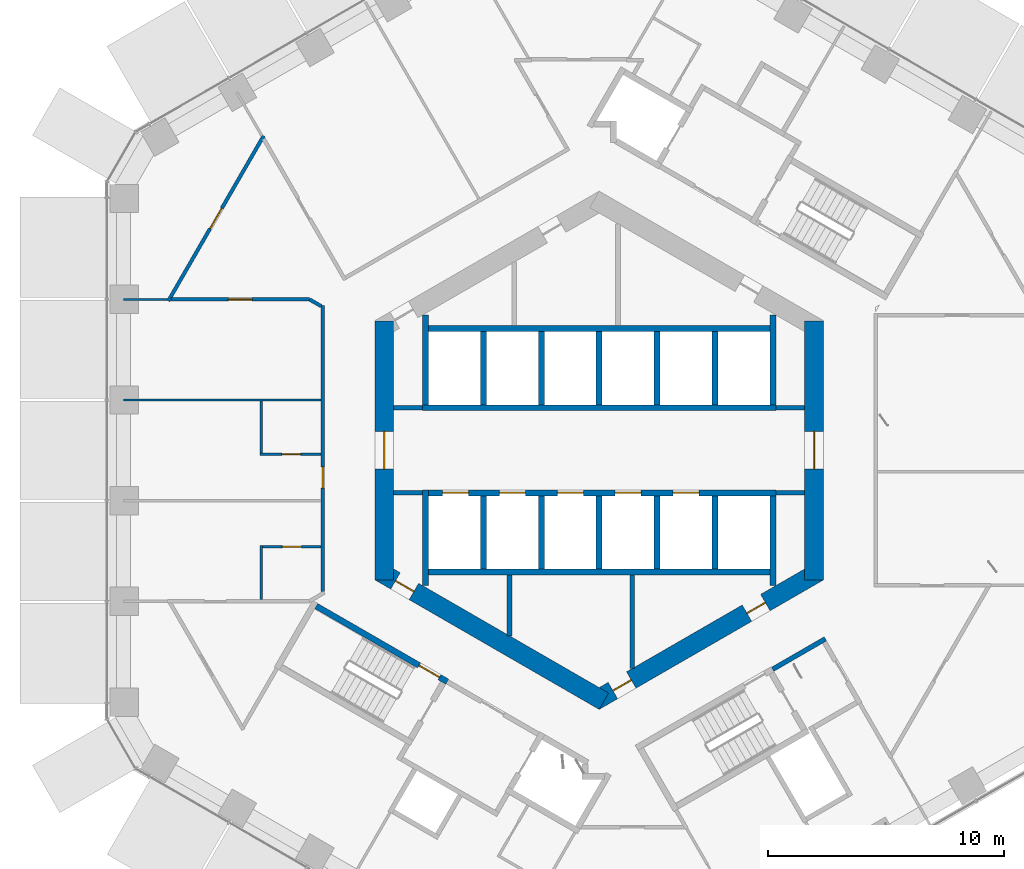
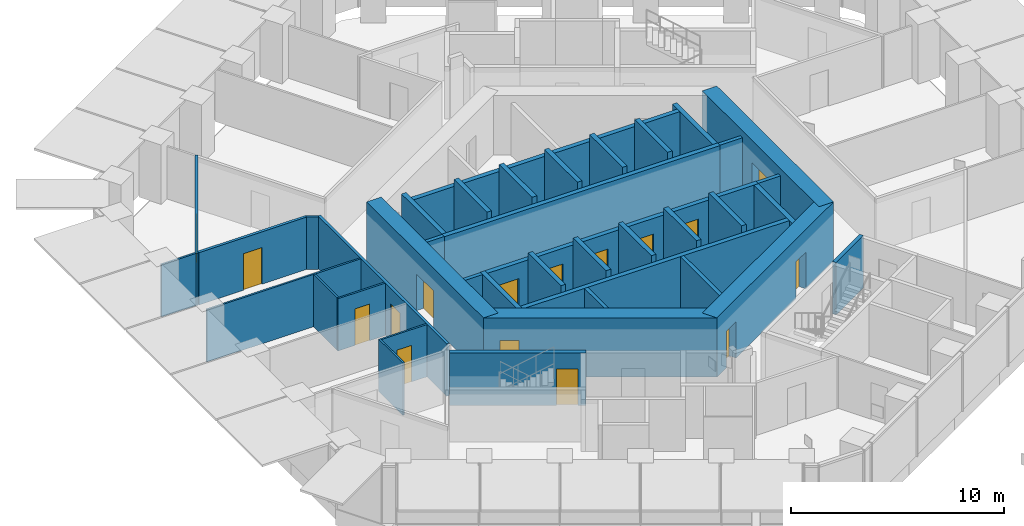
# One storey, part 13 of 22: 40 walls, 16 doors, 16 openings.
"""IFC4 building model written with IfcOpenShell, lengths in metres."""

from ifc_helpers import new_model, si_unit, direction, frame, frame_2d, origin, place, context, subcontext, project, spatial, rectangle, extrude, material, layer, layer_set, type_object, element, fill, save


model = new_model("IFC4")

# Units and contexts
model_context = context("Model", 3, precision=1e-05, world=origin(), true_north=direction((0.0, 1.0)))
body_context = subcontext(model_context, "Body", "Model", "MODEL_VIEW")
ifc_project = project(units=[si_unit("LENGTHUNIT", "METRE"), si_unit("AREAUNIT", "SQUARE_METRE"), si_unit("VOLUMEUNIT", "CUBIC_METRE"), si_unit("PLANEANGLEUNIT", "RADIAN"), si_unit("MASSUNIT", "GRAM", prefix="KILO")], contexts=[model_context])

# Site, building, storey
site_placement = place(None, origin())
site = spatial("IfcSite", under=ifc_project, at=site_placement, CompositionType="ELEMENT")
building_placement = place(site_placement, origin())
building = spatial("IfcBuilding", under=site, at=building_placement, Name="Ayvan Gate Tower", CompositionType="ELEMENT")
storey_placement = place(building_placement, frame((0.0, 0.0, 62.89990234375)))
storey = spatial("IfcBuildingStorey", under=building, at=storey_placement, Name="L16", CompositionType="ELEMENT", Elevation=62.89990234375)

# Wall, opening, door
ifc_material_1 = material(Name="Concrete C70/85", Category="concrete")
ifc_layer_1 = layer(ifc_material_1, 0.800048828125)
ifc_layer_set_1 = layer_set([ifc_layer_1], Name="Concrete C70/85")
wall_type_1 = type_object("IfcWallType", Name="Core wall 800 C70/85", PredefinedType="SHEAR", material=ifc_layer_set_1)
wall_1_placement = place(storey_placement, frame((9.10009765625, -5.48486328125, 0.0), z_axis=(0.0, 0.0, 1.0), x_axis=(0.0, 1.0, 0.0)))
wall_1 = element("IfcWall", 1, at=wall_1_placement, inside=storey, type_object=wall_type_1, Name="CORE-L16-0", PredefinedType="SHEAR", context=body_context, shape_type="SweptSolid", body=[
    extrude(rectangle(XDim=10.9697265625, YDim=0.800048828125, at=frame_2d((5.48486328125, 0.0))), origin(), (0.0, 0.0, 1.0), 3.400146484375),
])
opening_1_placement = place(wall_1_placement, frame((4.684814453125, 0.0, 0.0)))
opening_1 = element("IfcOpeningElement", 2, at=opening_1_placement, cuts=wall_1, Name="Opening L16-D45", PredefinedType="OPENING", context=body_context, shape_type="SweptSolid", body=[
    extrude(rectangle(XDim=1.60009765625, YDim=2.10009765625, at=frame_2d((0.800048828125, 1.050048828125))), frame((0.0, 0.409912109375, 0.0), z_axis=(0.0, -1.0, 0.0), x_axis=(1.0, 0.0, 0.0)), (0.0, 0.0, 1.0), 0.820068359375),
])
ifc_material_2 = material(Name="Timber door leaf", Category="wood")
door_type_1 = type_object("IfcDoorType", Name="DT-1600", OperationType="NOTDEFINED", PredefinedType="DOOR", material=ifc_material_2)
door_1_placement = place(opening_1_placement, origin())
door_1 = element("IfcDoor", 3, at=door_1_placement, inside=storey, type_object=door_type_1, Name="CD-L16-45", OperationType="SINGLE_SWING_LEFT", OverallHeight=2.10009765625, OverallWidth=1.60009765625, PredefinedType="DOOR", context=body_context, shape_type="SweptSolid", body=[
    extrude(rectangle(XDim=1.60009765625, YDim=2.10009765625, at=frame_2d((0.800048828125, 1.050048828125))), frame((0.0, 0.02490234375, 0.0), z_axis=(0.0, -1.0, 0.0), x_axis=(1.0, 0.0, 0.0)), (0.0, 0.0, 1.0), 0.050048828125),
])
fill(opening_1, door_1)

wall_2_placement = place(storey_placement, frame((-9.10009765625, 5.48486328125, 0.0), z_axis=(0.0, 0.0, 1.0), x_axis=(0.0, -1.0, 0.0)))
wall_2 = element("IfcWall", 4, at=wall_2_placement, inside=storey, type_object=wall_type_1, Name="CORE-L16-3", PredefinedType="SHEAR", context=body_context, shape_type="SweptSolid", body=[
    extrude(rectangle(XDim=10.9697265625, YDim=0.800048828125, at=frame_2d((5.48486328125, 0.0))), origin(), (0.0, 0.0, 1.0), 3.400146484375),
])
opening_2_placement = place(wall_2_placement, frame((4.684814453125, 0.0, 0.0)))
opening_2 = element("IfcOpeningElement", 5, at=opening_2_placement, cuts=wall_2, Name="Opening L16-D46", PredefinedType="OPENING", context=body_context, shape_type="SweptSolid", body=[
    extrude(rectangle(XDim=1.60009765625, YDim=2.10009765625, at=frame_2d((0.800048828125, 1.050048828125))), frame((0.0, 0.409912109375, 0.0), z_axis=(0.0, -1.0, 0.0), x_axis=(1.0, 0.0, 0.0)), (0.0, 0.0, 1.0), 0.820068359375),
])
door_2_placement = place(opening_2_placement, origin())
door_2 = element("IfcDoor", 6, at=door_2_placement, inside=storey, type_object=door_type_1, Name="CD-L16-46", OperationType="SINGLE_SWING_RIGHT", OverallHeight=2.10009765625, OverallWidth=1.60009765625, PredefinedType="DOOR", context=body_context, shape_type="SweptSolid", body=[
    extrude(rectangle(XDim=1.60009765625, YDim=2.10009765625, at=frame_2d((0.800048828125, 1.050048828125))), frame((0.0, 0.02490234375, 0.0), z_axis=(0.0, -1.0, 0.0), x_axis=(1.0, 0.0, 0.0)), (0.0, 0.0, 1.0), 0.050048828125),
])
fill(opening_2, door_2)

wall_3_placement = place(storey_placement, frame((-9.300048828125, -5.138427734375, 0.0), z_axis=(0.0, 0.0, 1.0), x_axis=(0.866023993627, -0.500002442456, 0.0)))
wall_3 = element("IfcWall", 7, at=wall_3_placement, inside=storey, type_object=wall_type_1, Name="CORE-L16-4", PredefinedType="SHEAR", context=body_context, shape_type="SweptSolid", body=[
    extrude(rectangle(XDim=10.9697265625, YDim=0.800048828125, at=frame_2d((5.48486328125, 0.0))), origin(), (0.0, 0.0, 1.0), 3.400146484375),
])
opening_3_placement = place(wall_3_placement, frame((0.779541015625, 0.0, 0.0)))
opening_3 = element("IfcOpeningElement", 8, at=opening_3_placement, cuts=wall_3, Name="Opening L16-D42", PredefinedType="OPENING", context=body_context, shape_type="SweptSolid", body=[
    extrude(rectangle(XDim=0.89990234375, YDim=2.10009765625, at=frame_2d((0.449951171875, 1.050048828125))), frame((0.0, 0.409912109375, 0.0), z_axis=(0.0, -1.0, 0.0), x_axis=(1.0, 0.0, 0.0)), (0.0, 0.0, 1.0), 0.820068359375),
])
door_type_2 = type_object("IfcDoorType", Name="DT-900", OperationType="NOTDEFINED", PredefinedType="DOOR", material=ifc_material_2)
door_3_placement = place(opening_3_placement, origin())
door_3 = element("IfcDoor", 9, at=door_3_placement, inside=storey, type_object=door_type_2, Name="CD-L16-42", OperationType="SINGLE_SWING_RIGHT", OverallHeight=2.10009765625, OverallWidth=0.89990234375, PredefinedType="DOOR", context=body_context, shape_type="SweptSolid", body=[
    extrude(rectangle(XDim=0.89990234375, YDim=2.10009765625, at=frame_2d((0.449951171875, 1.050048828125))), frame((0.0, 0.02490234375, 0.0), z_axis=(0.0, -1.0, 0.0), x_axis=(1.0, 0.0, 0.0)), (0.0, 0.0, 1.0), 0.050048828125),
])
fill(opening_3, door_3)

# Wall, openings, doors
wall_4_placement = place(storey_placement, frame((-0.199951171875, -10.623291015625, 0.0), z_axis=(0.0, 0.0, 1.0), x_axis=(0.866023993627, 0.500002442456, 0.0)))
wall_4 = element("IfcWall", 10, at=wall_4_placement, inside=storey, type_object=wall_type_1, Name="CORE-L16-5", PredefinedType="SHEAR", context=body_context, shape_type="SweptSolid", body=[
    extrude(rectangle(XDim=10.9697265625, YDim=0.800048828125, at=frame_2d((5.48486328125, 0.0))), origin(), (0.0, 0.0, 1.0), 3.400146484375),
])
opening_4_placement = place(wall_4_placement, frame((0.89990234375, 0.0, 0.0)))
opening_4 = element("IfcOpeningElement", 11, at=opening_4_placement, cuts=wall_4, Name="Opening L16-D43", PredefinedType="OPENING", context=body_context, shape_type="SweptSolid", body=[
    extrude(rectangle(XDim=0.89990234375, YDim=2.10009765625, at=frame_2d((0.449951171875, 1.050048828125))), frame((0.0, 0.409912109375, 0.0), z_axis=(0.0, -1.0, 0.0), x_axis=(1.0, 0.0, 0.0)), (0.0, 0.0, 1.0), 0.820068359375),
])
opening_5_placement = place(wall_4_placement, frame((7.45458984375, 0.0, 0.0)))
opening_5 = element("IfcOpeningElement", 12, at=opening_5_placement, cuts=wall_4, Name="Opening L16-D44", PredefinedType="OPENING", context=body_context, shape_type="SweptSolid", body=[
    extrude(rectangle(XDim=0.89990234375, YDim=2.10009765625, at=frame_2d((0.449951171875, 1.050048828125))), frame((0.0, 0.409912109375, 0.0), z_axis=(0.0, -1.0, 0.0), x_axis=(1.0, 0.0, 0.0)), (0.0, 0.0, 1.0), 0.820068359375),
])
door_4_placement = place(opening_4_placement, origin())
door_4 = element("IfcDoor", 13, at=door_4_placement, inside=storey, type_object=door_type_2, Name="CD-L16-43", OperationType="SINGLE_SWING_LEFT", OverallHeight=2.10009765625, OverallWidth=0.89990234375, PredefinedType="DOOR", context=body_context, shape_type="SweptSolid", body=[
    extrude(rectangle(XDim=0.89990234375, YDim=2.10009765625, at=frame_2d((0.449951171875, 1.050048828125))), frame((0.0, 0.02490234375, 0.0), z_axis=(0.0, -1.0, 0.0), x_axis=(1.0, 0.0, 0.0)), (0.0, 0.0, 1.0), 0.050048828125),
])
fill(opening_4, door_4)
door_5_placement = place(opening_5_placement, origin())
door_5 = element("IfcDoor", 14, at=door_5_placement, inside=storey, type_object=door_type_2, Name="CD-L16-44", OperationType="SINGLE_SWING_RIGHT", OverallHeight=2.10009765625, OverallWidth=0.89990234375, PredefinedType="DOOR", context=body_context, shape_type="SweptSolid", body=[
    extrude(rectangle(XDim=0.89990234375, YDim=2.10009765625, at=frame_2d((0.449951171875, 1.050048828125))), frame((0.0, 0.02490234375, 0.0), z_axis=(0.0, -1.0, 0.0), x_axis=(1.0, 0.0, 0.0)), (0.0, 0.0, 1.0), 0.050048828125),
])
fill(opening_5, door_5)

# Wall, opening, door
ifc_material_3 = material(Name="Plasterboard on steel stud", Category="steel")
ifc_layer_2 = layer(ifc_material_3, 0.14990234375)
ifc_layer_set_2 = layer_set([ifc_layer_2], Name="Plasterboard on steel stud")
wall_type_2 = type_object("IfcWallType", Name="WT-CORR-150", PredefinedType="PARTITIONING", material=ifc_layer_set_2)
wall_5_placement = place(storey_placement, frame((-18.241943359375, 6.322021484375, 0.0), z_axis=(0.0, 0.0, 1.0), x_axis=(0.499995499922, 0.86602800189, 0.0)))
wall_5 = element("IfcWall", 15, at=wall_5_placement, inside=storey, type_object=wall_type_2, Name="IW-L16-003", PredefinedType="PARTITIONING", context=body_context, shape_type="SweptSolid", body=[
    extrude(rectangle(XDim=8.0751953125, YDim=0.14990234375, at=frame_2d((4.03759765625, 0.0))), origin(), (0.0, 0.0, 1.0), 3.0),
])
opening_6_placement = place(wall_5_placement, frame((3.53759765625, 0.0, 0.0)))
opening_6 = element("IfcOpeningElement", 16, at=opening_6_placement, cuts=wall_5, Name="Opening L16-D24", PredefinedType="OPENING", context=body_context, shape_type="SweptSolid", body=[
    extrude(rectangle(XDim=1.0, YDim=2.10009765625, at=frame_2d((0.5, 1.050048828125))), frame((0.0, 0.0849609375, 0.0), z_axis=(0.0, -1.0, 0.0), x_axis=(1.0, 0.0, 0.0)), (0.0, 0.0, 1.0), 0.169921875),
])
door_type_3 = type_object("IfcDoorType", Name="DT-1000", OperationType="NOTDEFINED", PredefinedType="DOOR", material=ifc_material_2)
door_6_placement = place(opening_6_placement, origin())
door_6 = element("IfcDoor", 17, at=door_6_placement, inside=storey, type_object=door_type_3, Name="ID-L16-024", OperationType="SINGLE_SWING_RIGHT", OverallHeight=2.10009765625, OverallWidth=1.0, PredefinedType="DOOR", context=body_context, shape_type="SweptSolid", body=[
    extrude(rectangle(XDim=1.0, YDim=2.10009765625, at=frame_2d((0.5, 1.050048828125))), frame((0.0, 0.02490234375, 0.0), z_axis=(0.0, -1.0, 0.0), x_axis=(1.0, 0.0, 0.0)), (0.0, 0.0, 1.0), 0.050048828125),
])
fill(opening_6, door_6)

wall_6_placement = place(storey_placement, frame((-12.2587890625, 6.386962890625, 0.0), z_axis=(0.0, 0.0, 1.0), x_axis=(-1.0, 0.0, 0.0)))
wall_6 = element("IfcWall", 18, at=wall_6_placement, inside=storey, type_object=wall_type_2, Name="IW-L16-014", PredefinedType="PARTITIONING", context=body_context, shape_type="SweptSolid", body=[
    extrude(rectangle(XDim=5.87060546875, YDim=0.14990234375, at=frame_2d((2.935302734375, 0.0))), origin(), (0.0, 0.0, 1.0), 3.0),
])
opening_7_placement = place(wall_6_placement, frame((2.435302734375, 0.0, 0.0)))
opening_7 = element("IfcOpeningElement", 19, at=opening_7_placement, cuts=wall_6, Name="Opening L16-D25", PredefinedType="OPENING", context=body_context, shape_type="SweptSolid", body=[
    extrude(rectangle(XDim=1.0, YDim=2.10009765625, at=frame_2d((0.5, 1.050048828125))), frame((0.0, 0.0849609375, 0.0), z_axis=(0.0, -1.0, 0.0), x_axis=(1.0, 0.0, 0.0)), (0.0, 0.0, 1.0), 0.169921875),
])
door_7_placement = place(opening_7_placement, origin())
door_7 = element("IfcDoor", 20, at=door_7_placement, inside=storey, type_object=door_type_3, Name="ID-L16-025", OperationType="SINGLE_SWING_LEFT", OverallHeight=2.10009765625, OverallWidth=1.0, PredefinedType="DOOR", context=body_context, shape_type="SweptSolid", body=[
    extrude(rectangle(XDim=1.0, YDim=2.10009765625, at=frame_2d((0.5, 1.050048828125))), frame((0.0, 0.02490234375, 0.0), z_axis=(0.0, -1.0, 0.0), x_axis=(1.0, 0.0, 0.0)), (0.0, 0.0, 1.0), 0.050048828125),
])
fill(opening_7, door_7)

wall_7_placement = place(storey_placement, frame((-11.699951171875, 6.13720703125, 0.0), z_axis=(0.0, 0.0, 1.0), x_axis=(0.0, -1.0, 0.0)))
wall_7 = element("IfcWall", 21, at=wall_7_placement, inside=storey, type_object=wall_type_2, Name="IW-L16-018", PredefinedType="PARTITIONING", context=body_context, shape_type="SweptSolid", body=[
    extrude(rectangle(XDim=12.12451171875, YDim=0.14990234375, at=frame_2d((6.062255859375, 0.0))), origin(), (0.0, 0.0, 1.0), 3.0),
])
opening_8_placement = place(wall_7_placement, frame((6.837158203125, 0.0, 0.0)))
opening_8 = element("IfcOpeningElement", 22, at=opening_8_placement, cuts=wall_7, Name="Opening L16-D26", PredefinedType="OPENING", context=body_context, shape_type="SweptSolid", body=[
    extrude(rectangle(XDim=0.89990234375, YDim=2.10009765625, at=frame_2d((0.449951171875, 1.050048828125))), frame((0.0, 0.0849609375, 0.0), z_axis=(0.0, -1.0, 0.0), x_axis=(1.0, 0.0, 0.0)), (0.0, 0.0, 1.0), 0.169921875),
])
door_8_placement = place(opening_8_placement, origin())
door_8 = element("IfcDoor", 23, at=door_8_placement, inside=storey, type_object=door_type_2, Name="ID-L16-026", OperationType="SINGLE_SWING_RIGHT", OverallHeight=2.10009765625, OverallWidth=0.89990234375, PredefinedType="DOOR", context=body_context, shape_type="SweptSolid", body=[
    extrude(rectangle(XDim=0.89990234375, YDim=2.10009765625, at=frame_2d((0.449951171875, 1.050048828125))), frame((0.0, 0.02490234375, 0.0), z_axis=(0.0, -1.0, 0.0), x_axis=(1.0, 0.0, 0.0)), (0.0, 0.0, 1.0), 0.050048828125),
])
fill(opening_8, door_8)

# Walls
wall_8_placement = place(storey_placement, frame((-11.764892578125, 6.099609375, 0.0), z_axis=(0.0, 0.0, 1.0), x_axis=(-0.865893856247, 0.500227777832, 0.0)))
element("IfcWall", 24, at=wall_8_placement, inside=storey, type_object=wall_type_2, Name="IW-L16-019", PredefinedType="PARTITIONING", context=body_context, shape_type="SweptSolid", body=[
    extrude(rectangle(XDim=0.571533203125, YDim=0.14990234375, at=frame_2d((0.28564453125, 0.0))), origin(), (0.0, 0.0, 1.0), 3.0),
])
ifc_layer_3 = layer(ifc_material_3, 0.10009765625)
ifc_layer_set_3 = layer_set([ifc_layer_3], Name="Plasterboard on steel stud")
wall_type_3 = type_object("IfcWallType", Name="WT-PART-100", PredefinedType="PARTITIONING", material=ifc_layer_set_3)
wall_9_placement = place(storey_placement, frame((-18.279541015625, 6.386962890625, 0.0), z_axis=(0.0, 0.0, 1.0), x_axis=(-1.0, 0.0, 0.0)))
element("IfcWall", 25, at=wall_9_placement, inside=storey, type_object=wall_type_3, Name="IW-L16-002", PredefinedType="PARTITIONING", context=body_context, shape_type="SweptSolid", body=[
    extrude(rectangle(XDim=1.852294921875, YDim=0.10009765625, at=frame_2d((0.92626953125, 0.0))), origin(), (0.0, 0.0, 1.0), 3.0),
])
wall_10_placement = place(storey_placement, frame((-14.300048828125, -4.036865234375, 0.0), z_axis=(0.0, 0.0, 1.0), x_axis=(0.0, -1.0, 0.0)))
element("IfcWall", 26, at=wall_10_placement, inside=storey, type_object=wall_type_3, Name="IW-L16-006", PredefinedType="PARTITIONING", context=body_context, shape_type="SweptSolid", body=[
    extrude(rectangle(XDim=2.275146484375, YDim=0.10009765625, at=frame_2d((1.1376953125, 0.0))), origin(), (0.0, 0.0, 1.0), 3.0),
])

# Wall, opening, door
wall_11_placement = place(storey_placement, frame((-14.35009765625, -0.1708984375, 0.0), z_axis=(0.0, 0.0, 1.0), x_axis=(1.0, 0.0, 0.0)))
wall_11 = element("IfcWall", 27, at=wall_11_placement, inside=storey, type_object=wall_type_3, Name="IW-L16-007", PredefinedType="PARTITIONING", context=body_context, shape_type="SweptSolid", body=[
    extrude(rectangle(XDim=2.5751953125, YDim=0.10009765625, at=frame_2d((1.28759765625, 0.0))), origin(), (0.0, 0.0, 1.0), 3.0),
])
opening_9_placement = place(wall_11_placement, frame((0.91259765625, 0.0, 0.0)))
opening_9 = element("IfcOpeningElement", 28, at=opening_9_placement, cuts=wall_11, Name="Opening L16-D27", PredefinedType="OPENING", context=body_context, shape_type="SweptSolid", body=[
    extrude(rectangle(XDim=0.800048828125, YDim=2.10009765625, at=frame_2d((0.39990234375, 1.050048828125))), frame((0.0, 0.06005859375, 0.0), z_axis=(0.0, -1.0, 0.0), x_axis=(1.0, 0.0, 0.0)), (0.0, 0.0, 1.0), 0.1201171875),
])
door_type_4 = type_object("IfcDoorType", Name="DT-800", OperationType="NOTDEFINED", PredefinedType="DOOR", material=ifc_material_2)
door_9_placement = place(opening_9_placement, origin())
door_9 = element("IfcDoor", 29, at=door_9_placement, inside=storey, type_object=door_type_4, Name="ID-L16-027", OperationType="SINGLE_SWING_LEFT", OverallHeight=2.10009765625, OverallWidth=0.800048828125, PredefinedType="DOOR", context=body_context, shape_type="SweptSolid", body=[
    extrude(rectangle(XDim=0.800048828125, YDim=2.10009765625, at=frame_2d((0.39990234375, 1.050048828125))), frame((0.0, 0.02490234375, 0.0), z_axis=(0.0, -1.0, 0.0), x_axis=(1.0, 0.0, 0.0)), (0.0, 0.0, 1.0), 0.050048828125),
])
fill(opening_9, door_9)

# Walls
wall_12_placement = place(storey_placement, frame((-14.300048828125, 2.0791015625, 0.0), z_axis=(0.0, 0.0, 1.0), x_axis=(0.0, -1.0, 0.0)))
element("IfcWall", 30, at=wall_12_placement, inside=storey, type_object=wall_type_3, Name="IW-L16-008", PredefinedType="PARTITIONING", context=body_context, shape_type="SweptSolid", body=[
    extrude(rectangle(XDim=2.2001953125, YDim=0.10009765625, at=frame_2d((1.10009765625, 0.0))), origin(), (0.0, 0.0, 1.0), 3.0),
])
wall_13_placement = place(storey_placement, frame((-20.1318359375, 2.12890625, 0.0), z_axis=(0.0, 0.0, 1.0), x_axis=(1.0, 0.0, 0.0)))
element("IfcWall", 31, at=wall_13_placement, inside=storey, type_object=wall_type_3, Name="IW-L16-009", PredefinedType="PARTITIONING", context=body_context, shape_type="SweptSolid", body=[
    extrude(rectangle(XDim=8.35693359375, YDim=0.10009765625, at=frame_2d((4.178466796875, 0.0))), origin(), (0.0, 0.0, 1.0), 3.0),
])

# Wall, opening, door
wall_14_placement = place(storey_placement, frame((-11.77490234375, -4.0869140625, 0.0), z_axis=(0.0, 0.0, 1.0), x_axis=(-1.0, 0.0, 0.0)))
wall_14 = element("IfcWall", 32, at=wall_14_placement, inside=storey, type_object=wall_type_3, Name="IW-L16-016", PredefinedType="PARTITIONING", context=body_context, shape_type="SweptSolid", body=[
    extrude(rectangle(XDim=2.47509765625, YDim=0.10009765625, at=frame_2d((1.237548828125, 0.0))), origin(), (0.0, 0.0, 1.0), 3.0),
])
opening_10_placement = place(wall_14_placement, frame((0.83740234375, 0.0, 0.0)))
opening_10 = element("IfcOpeningElement", 33, at=opening_10_placement, cuts=wall_14, Name="Opening L16-D29", PredefinedType="OPENING", context=body_context, shape_type="SweptSolid", body=[
    extrude(rectangle(XDim=0.800048828125, YDim=2.10009765625, at=frame_2d((0.39990234375, 1.050048828125))), frame((0.0, 0.06005859375, 0.0), z_axis=(0.0, -1.0, 0.0), x_axis=(1.0, 0.0, 0.0)), (0.0, 0.0, 1.0), 0.1201171875),
])
door_10_placement = place(opening_10_placement, origin())
door_10 = element("IfcDoor", 34, at=door_10_placement, inside=storey, type_object=door_type_4, Name="ID-L16-029", OperationType="SINGLE_SWING_LEFT", OverallHeight=2.10009765625, OverallWidth=0.800048828125, PredefinedType="DOOR", context=body_context, shape_type="SweptSolid", body=[
    extrude(rectangle(XDim=0.800048828125, YDim=2.10009765625, at=frame_2d((0.39990234375, 1.050048828125))), frame((0.0, 0.02490234375, 0.0), z_axis=(0.0, -1.0, 0.0), x_axis=(1.0, 0.0, 0.0)), (0.0, 0.0, 1.0), 0.050048828125),
])
fill(opening_10, door_10)

# Walls
ifc_layer_4 = layer(ifc_material_3, 0.199951171875)
ifc_layer_set_4 = layer_set([ifc_layer_4], Name="Plasterboard on steel stud")
wall_type_4 = type_object("IfcWallType", Name="WT-RATED-200", PredefinedType="PARTITIONING", material=ifc_layer_set_4)
for number, where, z_axis, x_axis, name in (
    (35, (-8.699951171875, 1.800048828125, 0.0), (0.0, 0.0, 1.0), (1.0, 0.0, 0.0), "IW-L16-022"),
    (36, (-7.474853515625, -1.800048828125, 0.0), (0.0, 0.0, 1.0), (-1.0, 0.0, 0.0), "IW-L16-031"),
):
    element("IfcWall", number, at=place(storey_placement, frame(where, z_axis=z_axis, x_axis=x_axis)), inside=storey, type_object=wall_type_4, Name=name, PredefinedType="PARTITIONING", context=body_context, shape_type="SweptSolid", body=[
        extrude(rectangle(XDim=1.22509765625, YDim=0.199951171875, at=frame_2d((0.612548828125, 0.0))), origin(), (0.0, 0.0, 1.0), 3.0),
    ])
wall_15_placement = place(storey_placement, frame((-3.800048828125, -5.27490234375, 0.0), z_axis=(0.0, 0.0, 1.0), x_axis=(0.0, -1.0, 0.0)))
element("IfcWall", 37, at=wall_15_placement, inside=storey, type_object=wall_type_4, Name="IW-L16-044", PredefinedType="PARTITIONING", context=body_context, shape_type="SweptSolid", body=[
    extrude(rectangle(XDim=2.5771484375, YDim=0.199951171875, at=frame_2d((1.28857421875, 0.0))), origin(), (0.0, 0.0, 1.0), 3.0),
])
wall_16_placement = place(storey_placement, frame((1.39990234375, -5.27490234375, 0.0), z_axis=(0.0, 0.0, 1.0), x_axis=(0.0, -1.0, 0.0)))
element("IfcWall", 38, at=wall_16_placement, inside=storey, type_object=wall_type_4, Name="IW-L16-069", PredefinedType="PARTITIONING", context=body_context, shape_type="SweptSolid", body=[
    extrude(rectangle(XDim=3.962646484375, YDim=0.199951171875, at=frame_2d((1.9814453125, 0.0))), origin(), (0.0, 0.0, 1.0), 3.0),
])
wall_17_placement = place(storey_placement, frame((7.343994140625, -9.27001953125, 0.0), z_axis=(0.0, 0.0, 1.0), x_axis=(0.866005588531, 0.500034319456, 0.0)))
element("IfcWall", 39, at=wall_17_placement, inside=storey, type_object=wall_type_4, Name="IW-L16-094", PredefinedType="PARTITIONING", context=body_context, shape_type="SweptSolid", body=[
    extrude(rectangle(XDim=2.574951171875, YDim=0.199951171875, at=frame_2d((1.28759765625, 0.0))), origin(), (0.0, 0.0, 1.0), 3.0),
])
for number, where, z_axis, x_axis, name in (
    (40, (7.474853515625, 1.800048828125, 0.0), (0.0, 0.0, 1.0), (1.0, 0.0, 0.0), "IW-L16-095"),
    (41, (8.699951171875, -1.800048828125, 0.0), (0.0, 0.0, 1.0), (-1.0, 0.0, 0.0), "IW-L16-103"),
):
    element("IfcWall", number, at=place(storey_placement, frame(where, z_axis=z_axis, x_axis=x_axis)), inside=storey, type_object=wall_type_4, Name=name, PredefinedType="PARTITIONING", context=body_context, shape_type="SweptSolid", body=[
        extrude(rectangle(XDim=1.22509765625, YDim=0.199951171875, at=frame_2d((0.612548828125, 0.0))), origin(), (0.0, 0.0, 1.0), 3.0),
    ])

# Wall, opening, door
ifc_material_4 = material(Name="Concrete C50/60", Category="concrete")
ifc_layer_5 = layer(ifc_material_4, 0.25)
ifc_layer_set_5 = layer_set([ifc_layer_5], Name="Concrete C50/60")
wall_type_5 = type_object("IfcWallType", Name="WT-RC-250", PredefinedType="SHEAR", material=ifc_layer_set_5)
wall_18_placement = place(storey_placement, frame((-11.97705078125, -6.594970703125, 0.0), z_axis=(0.0, 0.0, 1.0), x_axis=(0.866025499775, -0.499999833739, 0.0)))
wall_18 = element("IfcWall", 42, at=wall_18_placement, inside=storey, type_object=wall_type_5, Name="IW-L16-015", PredefinedType="SHEAR", context=body_context, shape_type="SweptSolid", body=[
    extrude(rectangle(XDim=6.39990234375, YDim=0.25, at=frame_2d((3.199951171875, 0.0))), origin(), (0.0, 0.0, 1.0), 3.0),
])
opening_11_placement = place(wall_18_placement, frame((5.02490234375, 0.0, 0.0)))
opening_11 = element("IfcOpeningElement", 43, at=opening_11_placement, cuts=wall_18, Name="Opening L16-D10", PredefinedType="OPENING", context=body_context, shape_type="SweptSolid", body=[
    extrude(rectangle(XDim=1.0, YDim=2.10009765625, at=frame_2d((0.5, 1.050048828125))), frame((0.0, 0.135009765625, 0.0), z_axis=(0.0, -1.0, 0.0), x_axis=(1.0, 0.0, 0.0)), (0.0, 0.0, 1.0), 0.27001953125),
])
door_11_placement = place(opening_11_placement, origin())
door_11 = element("IfcDoor", 44, at=door_11_placement, inside=storey, type_object=door_type_3, Name="ID-L16-010", OperationType="SINGLE_SWING_RIGHT", OverallHeight=2.10009765625, OverallWidth=1.0, PredefinedType="DOOR", context=body_context, shape_type="SweptSolid", body=[
    extrude(rectangle(XDim=1.0, YDim=2.10009765625, at=frame_2d((0.5, 1.050048828125))), frame((0.0, 0.02490234375, 0.0), z_axis=(0.0, -1.0, 0.0), x_axis=(1.0, 0.0, 0.0)), (0.0, 0.0, 1.0), 0.050048828125),
])
fill(opening_11, door_11)

# Walls
wall_19_placement = place(storey_placement, frame((-7.47509765625, 1.800048828125, 0.0), z_axis=(0.0, 0.0, 1.0), x_axis=(1.0, 0.0, 0.0)))
element("IfcWall", 45, at=wall_19_placement, inside=storey, type_object=wall_type_5, Name="IW-L16-027", PredefinedType="SHEAR", context=body_context, shape_type="SweptSolid", body=[
    extrude(rectangle(XDim=14.9501953125, YDim=0.25, at=frame_2d((7.47509765625, 0.0))), origin(), (0.0, 0.0, 1.0), 3.0),
])
wall_20_placement = place(storey_placement, frame((-7.35009765625, -5.730224609375, 0.0), z_axis=(0.0, 0.0, 1.0), x_axis=(0.0, 1.0, 0.0)))
element("IfcWall", 46, at=wall_20_placement, inside=storey, type_object=wall_type_5, Name="IW-L16-028", PredefinedType="SHEAR", context=body_context, shape_type="SweptSolid", body=[
    extrude(rectangle(XDim=4.05517578125, YDim=0.25, at=frame_2d((2.027587890625, 0.0))), origin(), (0.0, 0.0, 1.0), 3.0),
])
wall_21_placement = place(storey_placement, frame((-7.35009765625, 1.925048828125, 0.0), z_axis=(0.0, 0.0, 1.0), x_axis=(0.0, 1.0, 0.0)))
element("IfcWall", 47, at=wall_21_placement, inside=storey, type_object=wall_type_5, Name="IW-L16-029", PredefinedType="SHEAR", context=body_context, shape_type="SweptSolid", body=[
    extrude(rectangle(XDim=3.80517578125, YDim=0.25, at=frame_2d((1.902587890625, 0.0))), origin(), (0.0, 0.0, 1.0), 3.0),
])
for number, where, z_axis, x_axis, name in (
    (48, (-7.22509765625, 5.14990234375, 0.0), (0.0, 0.0, 1.0), (1.0, 0.0, 0.0), "IW-L16-030"),
    (49, (-7.22509765625, -5.14990234375, 0.0), (0.0, 0.0, 1.0), (1.0, 0.0, 0.0), "IW-L16-037"),
):
    element("IfcWall", number, at=place(storey_placement, frame(where, z_axis=z_axis, x_axis=x_axis)), inside=storey, type_object=wall_type_5, Name=name, PredefinedType="SHEAR", context=body_context, shape_type="SweptSolid", body=[
        extrude(rectangle(XDim=14.7001953125, YDim=0.25, at=frame_2d((7.35009765625, 0.0))), origin(), (0.0, 0.0, 1.0), 3.0),
    ])
for number, where, z_axis, x_axis, name in (
    (50, (-4.89990234375, -1.925048828125, 0.0), (0.0, 0.0, 1.0), (0.0, -1.0, 0.0), "IW-L16-038"),
    (51, (-4.89990234375, 5.02490234375, 0.0), (0.0, 0.0, 1.0), (0.0, -1.0, 0.0), "IW-L16-039"),
):
    element("IfcWall", number, at=place(storey_placement, frame(where, z_axis=z_axis, x_axis=x_axis)), inside=storey, type_object=wall_type_5, Name=name, PredefinedType="SHEAR", context=body_context, shape_type="SweptSolid", body=[
        extrude(rectangle(XDim=3.099853515625, YDim=0.25, at=frame_2d((1.5498046875, 0.0))), origin(), (0.0, 0.0, 1.0), 3.400146484375),
    ])

# Wall, openings, doors
wall_22_placement = place(storey_placement, frame((-7.22509765625, -1.800048828125, 0.0), z_axis=(0.0, 0.0, 1.0), x_axis=(1.0, 0.0, 0.0)))
wall_22 = element("IfcWall", 52, at=wall_22_placement, inside=storey, type_object=wall_type_5, Name="IW-L16-040", PredefinedType="SHEAR", context=body_context, shape_type="SweptSolid", body=[
    extrude(rectangle(XDim=14.7001953125, YDim=0.25, at=frame_2d((7.35009765625, 0.0))), origin(), (0.0, 0.0, 1.0), 3.0),
])
opening_12_placement = place(wall_22_placement, frame((0.597412109375, 0.0, 0.0)))
opening_12 = element("IfcOpeningElement", 53, at=opening_12_placement, cuts=wall_22, Name="Opening L16-LD-LR1", PredefinedType="OPENING", context=body_context, shape_type="SweptSolid", body=[
    extrude(rectangle(XDim=1.10009765625, YDim=2.10009765625, at=frame_2d((0.550048828125, 1.050048828125))), frame((0.0, 0.135009765625, 0.0), z_axis=(0.0, -1.0, 0.0), x_axis=(1.0, 0.0, 0.0)), (0.0, 0.0, 1.0), 0.27001953125),
])
opening_13_placement = place(wall_22_placement, frame((3.0, 0.0, 0.0)))
opening_13 = element("IfcOpeningElement", 54, at=opening_13_placement, cuts=wall_22, Name="Opening L16-LD-LR2", PredefinedType="OPENING", context=body_context, shape_type="SweptSolid", body=[
    extrude(rectangle(XDim=1.10009765625, YDim=2.10009765625, at=frame_2d((0.550048828125, 1.050048828125))), frame((0.0, 0.135009765625, 0.0), z_axis=(0.0, -1.0, 0.0), x_axis=(1.0, 0.0, 0.0)), (0.0, 0.0, 1.0), 0.27001953125),
])
opening_14_placement = place(wall_22_placement, frame((5.4501953125, 0.0, 0.0)))
opening_14 = element("IfcOpeningElement", 55, at=opening_14_placement, cuts=wall_22, Name="Opening L16-LD-LR3", PredefinedType="OPENING", context=body_context, shape_type="SweptSolid", body=[
    extrude(rectangle(XDim=1.10009765625, YDim=2.10009765625, at=frame_2d((0.550048828125, 1.050048828125))), frame((0.0, 0.135009765625, 0.0), z_axis=(0.0, -1.0, 0.0), x_axis=(1.0, 0.0, 0.0)), (0.0, 0.0, 1.0), 0.27001953125),
])
opening_15_placement = place(wall_22_placement, frame((7.900146484375, 0.0, 0.0)))
opening_15 = element("IfcOpeningElement", 56, at=opening_15_placement, cuts=wall_22, Name="Opening L16-LD-LR4", PredefinedType="OPENING", context=body_context, shape_type="SweptSolid", body=[
    extrude(rectangle(XDim=1.10009765625, YDim=2.10009765625, at=frame_2d((0.550048828125, 1.050048828125))), frame((0.0, 0.135009765625, 0.0), z_axis=(0.0, -1.0, 0.0), x_axis=(1.0, 0.0, 0.0)), (0.0, 0.0, 1.0), 0.27001953125),
])
opening_16_placement = place(wall_22_placement, frame((10.35009765625, 0.0, 0.0)))
opening_16 = element("IfcOpeningElement", 57, at=opening_16_placement, cuts=wall_22, Name="Opening L16-LD-SV", PredefinedType="OPENING", context=body_context, shape_type="SweptSolid", body=[
    extrude(rectangle(XDim=1.10009765625, YDim=2.10009765625, at=frame_2d((0.550048828125, 1.050048828125))), frame((0.0, 0.135009765625, 0.0), z_axis=(0.0, -1.0, 0.0), x_axis=(1.0, 0.0, 0.0)), (0.0, 0.0, 1.0), 0.27001953125),
])
ifc_material_5 = material(Name="Stainless steel landing door", Category="steel")
door_type_5 = type_object("IfcDoorType", Name="DT-LANDING-1100", OperationType="SLIDING_TO_LEFT", PredefinedType="DOOR", material=ifc_material_5)
door_12_placement = place(opening_12_placement, origin())
door_12 = element("IfcDoor", 58, at=door_12_placement, inside=storey, type_object=door_type_5, Name="ID-L16-001", OperationType="SLIDING_TO_LEFT", OverallHeight=2.10009765625, OverallWidth=1.10009765625, PredefinedType="DOOR", context=body_context, shape_type="SweptSolid", body=[
    extrude(rectangle(XDim=1.10009765625, YDim=2.10009765625, at=frame_2d((0.550048828125, 1.050048828125))), frame((0.0, 0.02490234375, 0.0), z_axis=(0.0, -1.0, 0.0), x_axis=(1.0, 0.0, 0.0)), (0.0, 0.0, 1.0), 0.050048828125),
])
fill(opening_12, door_12)
door_13_placement = place(opening_13_placement, origin())
door_13 = element("IfcDoor", 59, at=door_13_placement, inside=storey, type_object=door_type_5, Name="ID-L16-002", OperationType="SLIDING_TO_LEFT", OverallHeight=2.10009765625, OverallWidth=1.10009765625, PredefinedType="DOOR", context=body_context, shape_type="SweptSolid", body=[
    extrude(rectangle(XDim=1.10009765625, YDim=2.10009765625, at=frame_2d((0.550048828125, 1.050048828125))), frame((0.0, 0.02490234375, 0.0), z_axis=(0.0, -1.0, 0.0), x_axis=(1.0, 0.0, 0.0)), (0.0, 0.0, 1.0), 0.050048828125),
])
fill(opening_13, door_13)
door_14_placement = place(opening_14_placement, origin())
door_14 = element("IfcDoor", 60, at=door_14_placement, inside=storey, type_object=door_type_5, Name="ID-L16-003", OperationType="SLIDING_TO_LEFT", OverallHeight=2.10009765625, OverallWidth=1.10009765625, PredefinedType="DOOR", context=body_context, shape_type="SweptSolid", body=[
    extrude(rectangle(XDim=1.10009765625, YDim=2.10009765625, at=frame_2d((0.550048828125, 1.050048828125))), frame((0.0, 0.02490234375, 0.0), z_axis=(0.0, -1.0, 0.0), x_axis=(1.0, 0.0, 0.0)), (0.0, 0.0, 1.0), 0.050048828125),
])
fill(opening_14, door_14)
door_15_placement = place(opening_15_placement, origin())
door_15 = element("IfcDoor", 61, at=door_15_placement, inside=storey, type_object=door_type_5, Name="ID-L16-004", OperationType="SLIDING_TO_LEFT", OverallHeight=2.10009765625, OverallWidth=1.10009765625, PredefinedType="DOOR", context=body_context, shape_type="SweptSolid", body=[
    extrude(rectangle(XDim=1.10009765625, YDim=2.10009765625, at=frame_2d((0.550048828125, 1.050048828125))), frame((0.0, 0.02490234375, 0.0), z_axis=(0.0, -1.0, 0.0), x_axis=(1.0, 0.0, 0.0)), (0.0, 0.0, 1.0), 0.050048828125),
])
fill(opening_15, door_15)
door_16_placement = place(opening_16_placement, origin())
door_16 = element("IfcDoor", 62, at=door_16_placement, inside=storey, type_object=door_type_5, Name="ID-L16-005", OperationType="SLIDING_TO_LEFT", OverallHeight=2.10009765625, OverallWidth=1.10009765625, PredefinedType="DOOR", context=body_context, shape_type="SweptSolid", body=[
    extrude(rectangle(XDim=1.10009765625, YDim=2.10009765625, at=frame_2d((0.550048828125, 1.050048828125))), frame((0.0, 0.02490234375, 0.0), z_axis=(0.0, -1.0, 0.0), x_axis=(1.0, 0.0, 0.0)), (0.0, 0.0, 1.0), 0.050048828125),
])
fill(opening_16, door_16)

# Walls
for number, where, z_axis, x_axis, name in (
    (63, (-2.449951171875, -1.925048828125, 0.0), (0.0, 0.0, 1.0), (0.0, -1.0, 0.0), "IW-L16-054"),
    (64, (-2.449951171875, 5.02490234375, 0.0), (0.0, 0.0, 1.0), (0.0, -1.0, 0.0), "IW-L16-055"),
    (65, (0.0, -1.925048828125, 0.0), (0.0, 0.0, 1.0), (0.0, -1.0, 0.0), "IW-L16-061"),
    (66, (0.0, 5.02490234375, 0.0), (0.0, 0.0, 1.0), (0.0, -1.0, 0.0), "IW-L16-062"),
    (67, (2.449951171875, -1.925048828125, 0.0), (0.0, 0.0, 1.0), (0.0, -1.0, 0.0), "IW-L16-072"),
    (68, (2.449951171875, 5.02490234375, 0.0), (0.0, 0.0, 1.0), (0.0, -1.0, 0.0), "IW-L16-073"),
    (69, (4.89990234375, -1.925048828125, 0.0), (0.0, 0.0, 1.0), (0.0, -1.0, 0.0), "IW-L16-085"),
    (70, (4.89990234375, 5.02490234375, 0.0), (0.0, 0.0, 1.0), (0.0, -1.0, 0.0), "IW-L16-086"),
):
    element("IfcWall", number, at=place(storey_placement, frame(where, z_axis=z_axis, x_axis=x_axis)), inside=storey, type_object=wall_type_5, Name=name, PredefinedType="SHEAR", context=body_context, shape_type="SweptSolid", body=[
        extrude(rectangle(XDim=3.099853515625, YDim=0.25, at=frame_2d((1.5498046875, 0.0))), origin(), (0.0, 0.0, 1.0), 3.400146484375),
    ])
for number, where, z_axis, x_axis, name in (
    (71, (7.35009765625, -1.925048828125, 0.0), (0.0, 0.0, 1.0), (0.0, -1.0, 0.0), "IW-L16-096"),
    (72, (7.35009765625, 5.730224609375, 0.0), (0.0, 0.0, 1.0), (0.0, -1.0, 0.0), "IW-L16-097"),
):
    element("IfcWall", number, at=place(storey_placement, frame(where, z_axis=z_axis, x_axis=x_axis)), inside=storey, type_object=wall_type_5, Name=name, PredefinedType="SHEAR", context=body_context, shape_type="SweptSolid", body=[
        extrude(rectangle(XDim=3.80517578125, YDim=0.25, at=frame_2d((1.902587890625, 0.0))), origin(), (0.0, 0.0, 1.0), 3.0),
    ])

save(model, "model.ifc")
